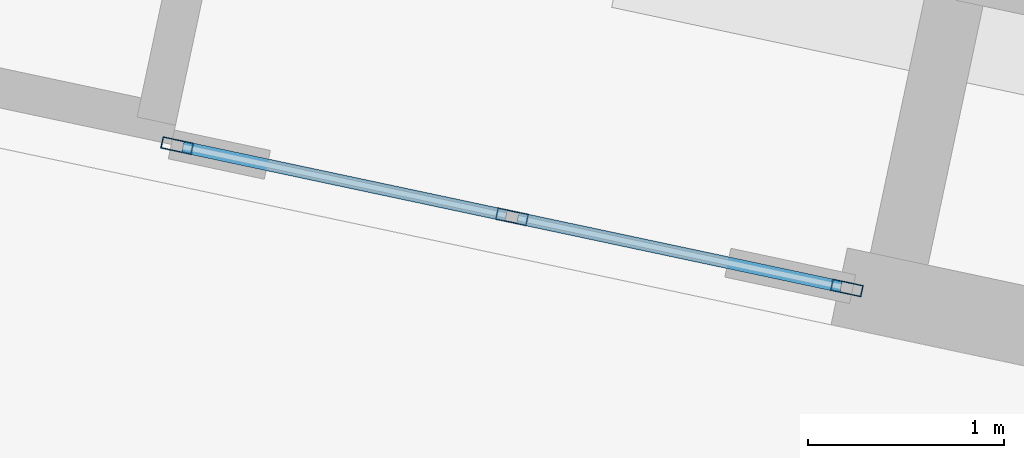
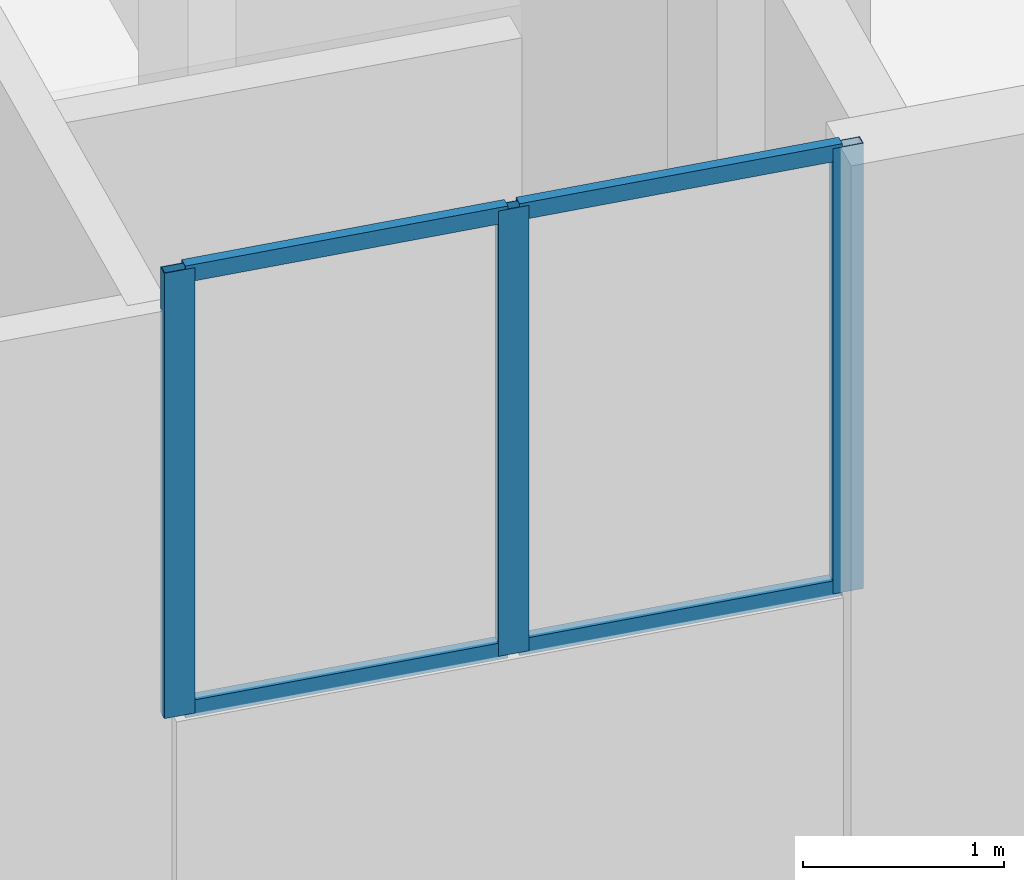
# One storey, part 124 of 239: 7 members, 1 element without a shape of its own.
"""IFC4 building model written with IfcOpenShell, lengths in metres."""

from ifc_helpers import new_model, si_unit, direction, frame, origin, origin_2d, place, context, subcontext, project, spatial, hollow_rectangle, extrude, material, material_profile, profile_set, type_object, element, aggregate, save


model = new_model("IFC4")

# Units and contexts
model_context = context("Model", 3, precision=1e-05, world=origin(), true_north=direction((0.0, 1.0)))
body_context = subcontext(model_context, "Body", "Model", "MODEL_VIEW")
ifc_project = project(units=[si_unit("LENGTHUNIT", "METRE"), si_unit("AREAUNIT", "SQUARE_METRE"), si_unit("VOLUMEUNIT", "CUBIC_METRE"), si_unit("PLANEANGLEUNIT", "RADIAN"), si_unit("MASSUNIT", "GRAM", prefix="KILO")], contexts=[model_context])

# Site, building, storey
site_placement = place(None, origin())
site = spatial("IfcSite", under=ifc_project, at=site_placement, CompositionType="ELEMENT")
building_placement = place(site_placement, origin())
building = spatial("IfcBuilding", under=site, at=building_placement, Name="Okhra Congress Centre", CompositionType="ELEMENT")
storey_placement = place(building_placement, origin())
storey = spatial("IfcBuildingStorey", under=building, at=storey_placement, Name="L00", CompositionType="ELEMENT", Elevation=0.0)

# Curtain wall, members
ifc_material_1 = material(Name="Aluminium curtain wall, triple glazing", Category="aluminium")
curtain_wall_type = type_object("IfcCurtainWallType", Name="Curtain wall 1775 module", PredefinedType="NOTDEFINED", material=ifc_material_1)
curtain_wall_placement = place(storey_placement, origin())
curtain_wall = element("IfcCurtainWall", 1, at=curtain_wall_placement, inside=storey, type_object=curtain_wall_type, Name="Foyer south glazing above the doors", PredefinedType="NOTDEFINED")
ifc_material_2 = material(Name="Aluminium alloy EN AW-6063 T66", Category="aluminium")
ifc_material_profile_1 = material_profile(ifc_material_2, hollow_rectangle(XDim=0.06005859375, YDim=0.159912109375, WallThickness=0.00390625, at=origin_2d()), Name="RHS 60x160x4")
ifc_profile_set_1 = profile_set([ifc_material_profile_1], Name="Aluminium alloy EN AW-6063 T66")
member_type_1 = type_object("IfcMemberType", Name="Curtain wall mullion 60x160", PredefinedType="MULLION", material=ifc_profile_set_1)
member_1_placement = place(storey_placement, frame((195.905517578125, 94.540283203125, 4.5), z_axis=(0.0, 0.0, 1.0), x_axis=(0.207911690818, 0.978147600734, 0.0)))
member_1 = element("IfcMember", 2, at=member_1_placement, type_object=member_type_1, Name="CW5 mullion 1", PredefinedType="MULLION", context=body_context, shape_type="SweptSolid", body=[
    extrude(hollow_rectangle(XDim=0.06005859375, YDim=0.159912109375, WallThickness=0.00390625, at=origin_2d()), origin(), (0.0, 0.0, 1.0), 2.699951171875),
])
member_2_placement = place(storey_placement, frame((197.6123046875, 94.177490234375, 4.5), z_axis=(0.0, 0.0, 1.0), x_axis=(0.207911690818, 0.978147600734, 0.0)))
member_2 = element("IfcMember", 3, at=member_2_placement, type_object=member_type_1, Name="CW5 mullion 2", PredefinedType="MULLION", context=body_context, shape_type="SweptSolid", body=[
    extrude(hollow_rectangle(XDim=0.06005859375, YDim=0.159912109375, WallThickness=0.00390625, at=origin_2d()), origin(), (0.0, 0.0, 1.0), 2.699951171875),
])
member_3_placement = place(storey_placement, frame((199.3193359375, 93.814697265625, 4.5), z_axis=(0.0, 0.0, 1.0), x_axis=(0.207911690818, 0.978147600734, 0.0)))
member_3 = element("IfcMember", 4, at=member_3_placement, type_object=member_type_1, Name="CW5 mullion 3", PredefinedType="MULLION", context=body_context, shape_type="SweptSolid", body=[
    extrude(hollow_rectangle(XDim=0.06005859375, YDim=0.159912109375, WallThickness=0.00390625, at=origin_2d()), origin(), (0.0, 0.0, 1.0), 2.699951171875),
])
ifc_material_profile_2 = material_profile(ifc_material_2, hollow_rectangle(XDim=0.06005859375, YDim=0.10009765625, WallThickness=0.00390625, at=origin_2d()), Name="RHS 60x100x4")
ifc_profile_set_2 = profile_set([ifc_material_profile_2], Name="Aluminium alloy EN AW-6063 T66")
member_type_2 = type_object("IfcMemberType", Name="Curtain wall transom 60x100", PredefinedType="USERDEFINED", material=ifc_profile_set_2)
member_4_placement = place(storey_placement, frame((195.934814453125, 94.533935546875, 4.530029296875), z_axis=(0.978146697532, -0.207915940003, 0.0), x_axis=(0.207915940003, 0.978146697532, 0.0)))
member_4 = element("IfcMember", 5, at=member_4_placement, type_object=member_type_2, Name="CW5 transom 1.1", ObjectType="TRANSOM", PredefinedType="USERDEFINED", context=body_context, shape_type="SweptSolid", body=[
    extrude(hollow_rectangle(XDim=0.06005859375, YDim=0.10009765625, WallThickness=0.00390625, at=origin_2d()), origin(), (0.0, 0.0, 1.0), 1.68505859375),
])
member_5_placement = place(storey_placement, frame((195.934814453125, 94.533935546875, 7.169921875), z_axis=(0.978146697532, -0.207915940003, 0.0), x_axis=(0.207915940003, 0.978146697532, 0.0)))
member_5 = element("IfcMember", 6, at=member_5_placement, type_object=member_type_2, Name="CW5 transom 1.2", ObjectType="TRANSOM", PredefinedType="USERDEFINED", context=body_context, shape_type="SweptSolid", body=[
    extrude(hollow_rectangle(XDim=0.06005859375, YDim=0.10009765625, WallThickness=0.00390625, at=origin_2d()), origin(), (0.0, 0.0, 1.0), 1.68505859375),
])
member_6_placement = place(storey_placement, frame((197.641845703125, 94.171142578125, 4.530029296875), z_axis=(0.978146697532, -0.207915940003, 0.0), x_axis=(0.207915940003, 0.978146697532, 0.0)))
member_6 = element("IfcMember", 7, at=member_6_placement, type_object=member_type_2, Name="CW5 transom 2.1", ObjectType="TRANSOM", PredefinedType="USERDEFINED", context=body_context, shape_type="SweptSolid", body=[
    extrude(hollow_rectangle(XDim=0.06005859375, YDim=0.10009765625, WallThickness=0.00390625, at=origin_2d()), origin(), (0.0, 0.0, 1.0), 1.68505859375),
])
member_7_placement = place(storey_placement, frame((197.641845703125, 94.171142578125, 7.169921875), z_axis=(0.978146697532, -0.207915940003, 0.0), x_axis=(0.207915940003, 0.978146697532, 0.0)))
member_7 = element("IfcMember", 8, at=member_7_placement, type_object=member_type_2, Name="CW5 transom 2.2", ObjectType="TRANSOM", PredefinedType="USERDEFINED", context=body_context, shape_type="SweptSolid", body=[
    extrude(hollow_rectangle(XDim=0.06005859375, YDim=0.10009765625, WallThickness=0.00390625, at=origin_2d()), origin(), (0.0, 0.0, 1.0), 1.68505859375),
])
aggregate(curtain_wall, [member_1, member_2, member_3, member_4, member_5, member_6, member_7])

save(model, "model.ifc")
